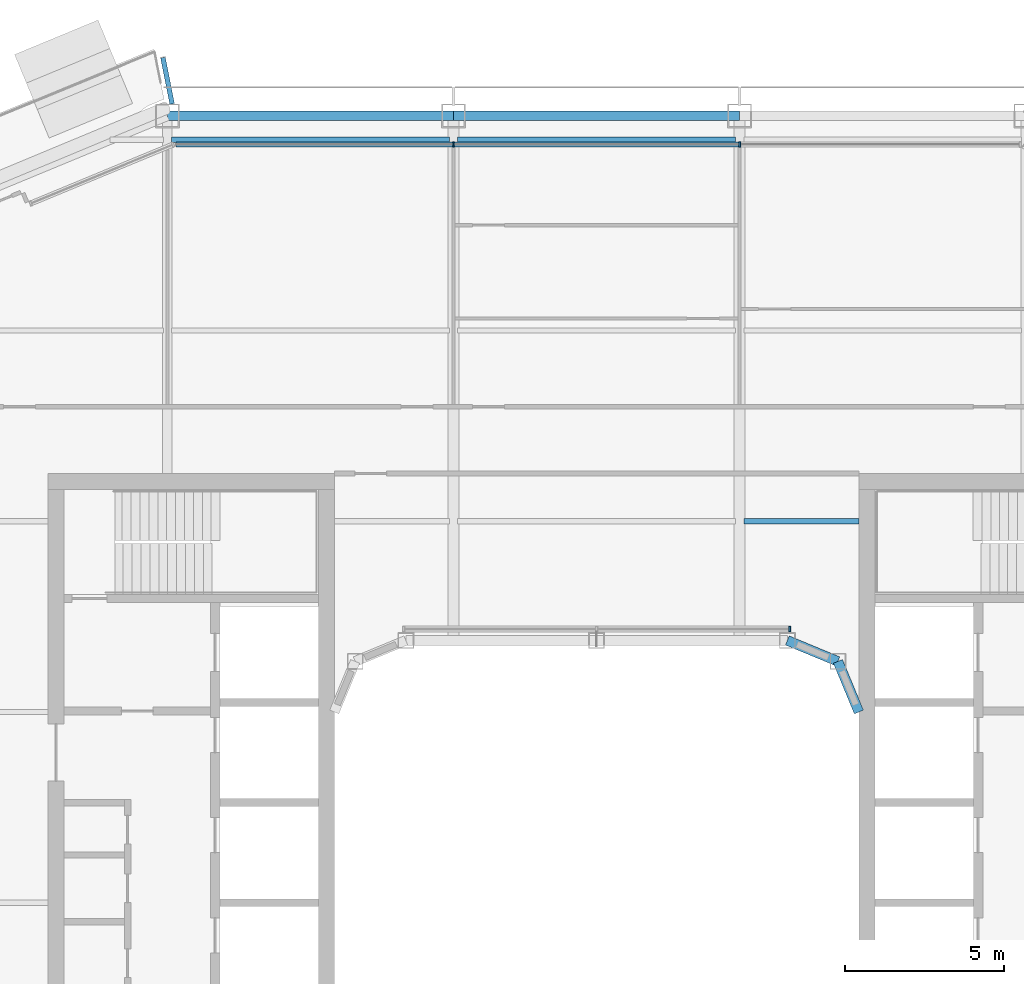
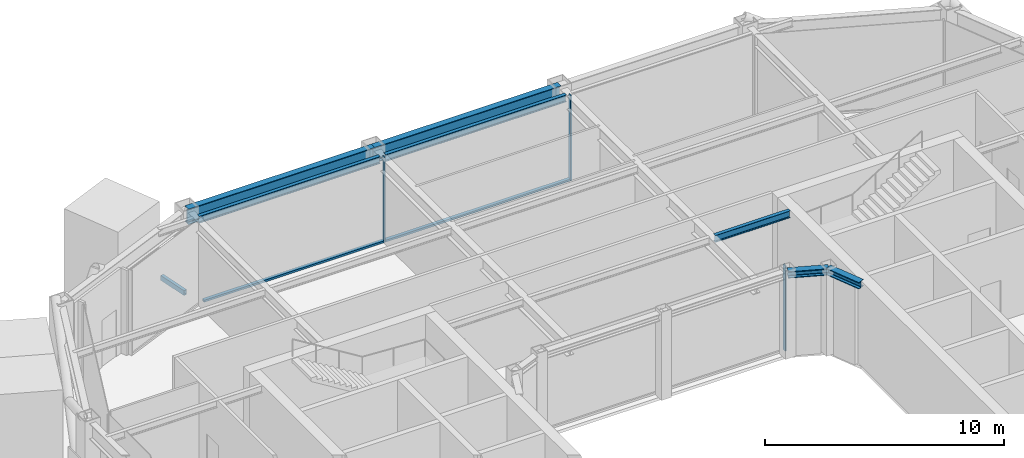
# One storey, part 8 of 21: 8 beams, 5 members, 2 elements without a shape of their own.
"""IFC4 building model written with IfcOpenShell, lengths in metres."""

from ifc_helpers import new_model, si_unit, direction, frame, origin, origin_2d, place, context, subcontext, project, spatial, rectangle, hollow_rectangle, i_section, extrude, material, layer, layer_set, material_profile, profile_set, type_object, element, aggregate, save


model = new_model("IFC4")

# Units and contexts
model_context = context("Model", 3, precision=1e-05, world=origin(), true_north=direction((0.0, 1.0)))
body_context = subcontext(model_context, "Body", "Model", "MODEL_VIEW")
ifc_project = project(units=[si_unit("LENGTHUNIT", "METRE"), si_unit("AREAUNIT", "SQUARE_METRE"), si_unit("VOLUMEUNIT", "CUBIC_METRE"), si_unit("PLANEANGLEUNIT", "RADIAN"), si_unit("MASSUNIT", "GRAM", prefix="KILO")], contexts=[model_context])

# Site, building, storey
site_placement = place(None, origin())
site = spatial("IfcSite", under=ifc_project, at=site_placement, CompositionType="ELEMENT")
building_placement = place(site_placement, origin())
building = spatial("IfcBuilding", under=site, at=building_placement, Name="Siwar Civic Tower", CompositionType="ELEMENT")
storey_placement = place(building_placement, frame((0.0, 0.0, 312.199951171875)))
storey = spatial("IfcBuildingStorey", under=building, at=storey_placement, Name="L67", CompositionType="ELEMENT", Elevation=312.199951171875)

# Beam
ifc_material_1 = material(Name="Steel S355", Category="steel")
ifc_material_profile_1 = material_profile(ifc_material_1, hollow_rectangle(XDim=0.14990234375, YDim=0.25, WallThickness=0.010009765625, at=origin_2d()), Name="RHS250x150x10")
ifc_profile_set_1 = profile_set([ifc_material_profile_1], Name="Steel S355")
beam_type_1 = type_object("IfcBeamType", Name="ENV-BALCONY ARM", PredefinedType="BEAM", material=ifc_profile_set_1)
beam_1_placement = place(storey_placement, frame((-13.350341796875, 25.125, -0.27490234375), z_axis=(-0.195012073712, 0.980800841714, 0.0), x_axis=(-0.980800841714, -0.195012073712, 0.0)))
element("IfcBeam", 1, at=beam_1_placement, inside=storey, type_object=beam_type_1, Name="Balcony cantilever beam NW 1", PredefinedType="BEAM", context=body_context, shape_type="SweptSolid", body=[
    extrude(hollow_rectangle(XDim=0.14990234375, YDim=0.25, WallThickness=0.010009765625, at=origin_2d()), origin(), (0.0, 0.0, 1.0), 1.488525390625),
])

# Curtain wall, members
ifc_material_2 = material(Name="Aluminium and glass", Category="aluminium")
ifc_layer_1 = layer(ifc_material_2, 0.159912109375)
ifc_layer_set_1 = layer_set([ifc_layer_1], Name="Aluminium and glass")
curtain_wall_type_1 = type_object("IfcCurtainWallType", Name="ENV-CW-D", PredefinedType="NOTDEFINED", material=ifc_layer_set_1)
curtain_wall_1_placement = place(storey_placement, origin())
curtain_wall_1 = element("IfcCurtainWall", 2, at=curtain_wall_1_placement, inside=storey, type_object=curtain_wall_type_1, Name="Curtain wall D N", PredefinedType="NOTDEFINED")
ifc_material_3 = material(Name="Aluminium 6063-T6", Category="aluminium")
ifc_material_profile_2 = material_profile(ifc_material_3, rectangle(XDim=0.159912109375, YDim=0.06005859375, at=origin_2d()), Name="AL 160x60")
ifc_profile_set_2 = profile_set([ifc_material_profile_2], Name="Aluminium 6063-T6")
member_type_1 = type_object("IfcMemberType", Name="ENV-MULLION-D", PredefinedType="MULLION", material=ifc_profile_set_2)
member_1_placement = place(storey_placement, frame((4.5, 23.85009765625, 0.0), z_axis=(0.0, 0.0, 1.0), x_axis=(0.0, -1.0, 0.0)))
member_1 = element("IfcMember", 3, at=member_1_placement, type_object=member_type_1, Name="Mullion D N 2", PredefinedType="MULLION", context=body_context, shape_type="SweptSolid", body=[
    extrude(rectangle(XDim=0.159912109375, YDim=0.06005859375, at=origin_2d()), origin(), (0.0, 0.0, 1.0), 4.35009765625),
])
member_2_placement = place(storey_placement, frame((-4.5, 23.85009765625, 0.0), z_axis=(0.0, 0.0, 1.0), x_axis=(0.0, -1.0, 0.0)))
member_2 = element("IfcMember", 4, at=member_2_placement, type_object=member_type_1, Name="Mullion D N 3", PredefinedType="MULLION", context=body_context, shape_type="SweptSolid", body=[
    extrude(rectangle(XDim=0.159912109375, YDim=0.06005859375, at=origin_2d()), origin(), (0.0, 0.0, 1.0), 4.35009765625),
])

# Curtain wall, member
ifc_material_4 = material(Name="Aluminium and glass", Category="aluminium")
ifc_layer_2 = layer(ifc_material_4, 0.179931640625)
ifc_layer_set_2 = layer_set([ifc_layer_2], Name="Aluminium and glass")
curtain_wall_type_2 = type_object("IfcCurtainWallType", Name="ENV-CW-W", PredefinedType="NOTDEFINED", material=ifc_layer_set_2)
curtain_wall_2_placement = place(storey_placement, origin())
curtain_wall_2 = element("IfcCurtainWall", 5, at=curtain_wall_2_placement, inside=storey, type_object=curtain_wall_type_2, Name="Curtain wall W WN", PredefinedType="NOTDEFINED")
ifc_material_5 = material(Name="Aluminium 6063-T6", Category="aluminium")
ifc_material_profile_3 = material_profile(ifc_material_5, rectangle(XDim=0.179931640625, YDim=0.06005859375, at=origin_2d()), Name="AL 180x60")
ifc_profile_set_3 = profile_set([ifc_material_profile_3], Name="Aluminium 6063-T6")
member_type_2 = type_object("IfcMemberType", Name="ENV-MULLION-W", PredefinedType="MULLION", material=ifc_profile_set_3)
member_3_placement = place(storey_placement, frame((6.071533203125, 8.610107421875, 0.0), z_axis=(0.0, 0.0, 1.0), x_axis=(0.0, -1.0, 0.0)))
member_3 = element("IfcMember", 6, at=member_3_placement, type_object=member_type_2, Name="Mullion W WN 1", PredefinedType="MULLION", context=body_context, shape_type="SweptSolid", body=[
    extrude(rectangle(XDim=0.179931640625, YDim=0.06005859375, at=origin_2d()), origin(), (0.0, 0.0, 1.0), 4.35009765625),
])
aggregate(curtain_wall_2, [member_3])

# Member
ifc_material_6 = material(Name="Aluminium 6063-T6", Category="aluminium")
ifc_material_profile_4 = material_profile(ifc_material_6, rectangle(XDim=0.159912109375, YDim=0.10009765625, at=origin_2d()), Name="AL 160x100")
ifc_profile_set_4 = profile_set([ifc_material_profile_4], Name="Aluminium 6063-T6")
member_type_3 = type_object("IfcMemberType", Name="ENV-TRANSOM-D", PredefinedType="USERDEFINED", material=ifc_profile_set_4)
member_4_placement = place(storey_placement, frame((4.469970703125, 23.85009765625, 0.050048828125), z_axis=(-1.0, 0.0, 0.0), x_axis=(0.0, -1.0, 0.0)))
member_4 = element("IfcMember", 7, at=member_4_placement, type_object=member_type_3, Name="Transom D N 2", ObjectType="TRANSOM", PredefinedType="USERDEFINED", context=body_context, shape_type="SweptSolid", body=[
    extrude(rectangle(XDim=0.159912109375, YDim=0.10009765625, at=origin_2d()), origin(), (0.0, 0.0, 1.0), 8.93994140625),
])

member_5_placement = place(storey_placement, frame((-4.530029296875, 23.85009765625, 0.050048828125), z_axis=(-1.0, 0.0, 0.0), x_axis=(0.0, -1.0, 0.0)))
member_5 = element("IfcMember", 8, at=member_5_placement, type_object=member_type_3, Name="Transom D N 3", ObjectType="TRANSOM", PredefinedType="USERDEFINED", context=body_context, shape_type="SweptSolid", body=[
    extrude(rectangle(XDim=0.159912109375, YDim=0.10009765625, at=origin_2d()), origin(), (0.0, 0.0, 1.0), 8.693115234375),
])

aggregate(curtain_wall_1, [member_1, member_2, member_4, member_5])

# Beams
ifc_material_7 = material(Name="Steel S355", Category="steel")
ifc_material_profile_5 = material_profile(ifc_material_7, i_section(OverallWidth=0.169921875, OverallDepth=0.360107421875, WebThickness=0.008056640625, FlangeThickness=0.0126953125, FilletRadius=0.01806640625, at=origin_2d()), Name="IPE360")
ifc_profile_set_5 = profile_set([ifc_material_profile_5], Name="Steel S355")
beam_type_2 = type_object("IfcBeamType", Name="STR-FB-IPE360", PredefinedType="JOIST", material=ifc_profile_set_5)
beam_2_placement = place(storey_placement, frame((4.6298828125, 12.0, 4.170166015625), z_axis=(1.0, 0.0, 0.0), x_axis=(0.0, 1.0, 0.0)))
element("IfcBeam", 9, at=beam_2_placement, inside=storey, type_object=beam_type_2, Name="L67/bm/F025", PredefinedType="JOIST", context=body_context, shape_type="SweptSolid", body=[
    extrude(i_section(OverallWidth=0.169921875, OverallDepth=0.360107421875, WebThickness=0.008056640625, FlangeThickness=0.0126953125, FilletRadius=0.01806640625, at=origin_2d()), origin(), (0.0, 0.0, 1.0), 3.6201171875),
])
for number, where, z_axis, x_axis, name in (
    (10, (-13.3701171875, 24.0, 4.170166015625), (1.0, 0.0, 0.0), (0.0, 1.0, 0.0), "L67/bm/F033"),
    (11, (-4.3701171875, 24.0, 4.170166015625), (1.0, 0.0, 0.0), (0.0, 1.0, 0.0), "L67/bm/F034"),
):
    element("IfcBeam", number, at=place(storey_placement, frame(where, z_axis=z_axis, x_axis=x_axis)), inside=storey, type_object=beam_type_2, Name=name, PredefinedType="JOIST", context=body_context, shape_type="SweptSolid", body=[
        extrude(i_section(OverallWidth=0.169921875, OverallDepth=0.360107421875, WebThickness=0.008056640625, FlangeThickness=0.0126953125, FilletRadius=0.01806640625, at=origin_2d()), origin(), (0.0, 0.0, 1.0), 8.740234375),
    ])
ifc_material_8 = material(Name="Steel S355", Category="steel")
ifc_material_profile_6 = material_profile(ifc_material_8, i_section(OverallWidth=0.31005859375, OverallDepth=0.340087890625, WebThickness=0.02099609375, FlangeThickness=0.0390625, FilletRadius=0.027099609375, at=origin_2d()), Name="HEM300")
ifc_profile_set_6 = profile_set([ifc_material_profile_6], Name="Steel S355")
beam_type_3 = type_object("IfcBeamType", Name="STR-RB-HEM300", PredefinedType="BEAM", material=ifc_profile_set_6)
for number, where, z_axis, x_axis, name in (
    (12, (6.0, 8.25, 4.179931640625), (0.923901072997, -0.382631424892, 0.0), (0.382631424892, 0.923901072997, 0.0), "L67/bm/RN3"),
    (13, (7.591064453125, 7.591064453125, 4.179931640625), (0.382631424892, -0.923901072997, 0.0), (0.923901072997, 0.382631424892, 0.0), "L67/bm/RNEE"),
):
    element("IfcBeam", number, at=place(storey_placement, frame(where, z_axis=z_axis, x_axis=x_axis)), inside=storey, type_object=beam_type_3, Name=name, PredefinedType="BEAM", context=body_context, shape_type="SweptSolid", body=[
        extrude(i_section(OverallWidth=0.31005859375, OverallDepth=0.340087890625, WebThickness=0.02099609375, FlangeThickness=0.0390625, FilletRadius=0.027099609375, at=origin_2d()), origin(), (0.0, 0.0, 1.0), 1.72216796875),
    ])
ifc_material_9 = material(Name="Steel S355", Category="steel")
ifc_material_profile_7 = material_profile(ifc_material_9, i_section(OverallWidth=0.300048828125, OverallDepth=0.800048828125, WebThickness=0.017578125, FlangeThickness=0.032958984375, FilletRadius=0.030029296875, at=origin_2d()), Name="HEB800")
ifc_profile_set_7 = profile_set([ifc_material_profile_7], Name="Steel S355")
beam_type_4 = type_object("IfcBeamType", Name="STR-SB-HEB800", PredefinedType="BEAM", material=ifc_profile_set_7)
for number, where, z_axis, x_axis, name in (
    (14, (4.5, 24.75, 3.949951171875), (-1.0, 0.0, 0.0), (0.0, -1.0, 0.0), "L67/bm/SN-1"),
    (15, (-4.5, 24.75, 3.949951171875), (-1.0, 0.0, 0.0), (0.0, -1.0, 0.0), "L67/bm/SN-2"),
):
    element("IfcBeam", number, at=place(storey_placement, frame(where, z_axis=z_axis, x_axis=x_axis)), inside=storey, type_object=beam_type_4, Name=name, PredefinedType="BEAM", context=body_context, shape_type="SweptSolid", body=[
        extrude(i_section(OverallWidth=0.300048828125, OverallDepth=0.800048828125, WebThickness=0.017578125, FlangeThickness=0.032958984375, FilletRadius=0.030029296875, at=origin_2d()), origin(), (0.0, 0.0, 1.0), 9.0),
    ])

save(model, "model.ifc")
